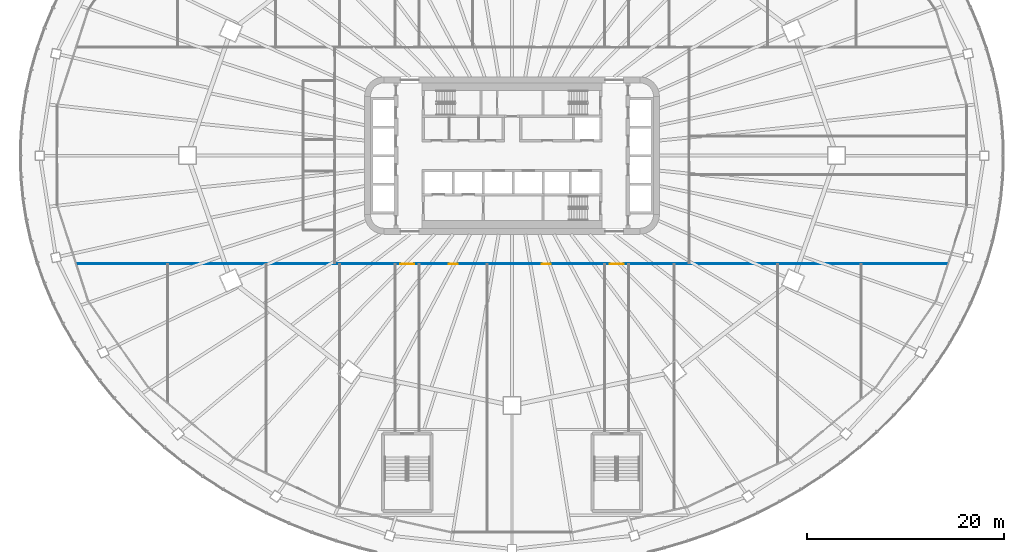
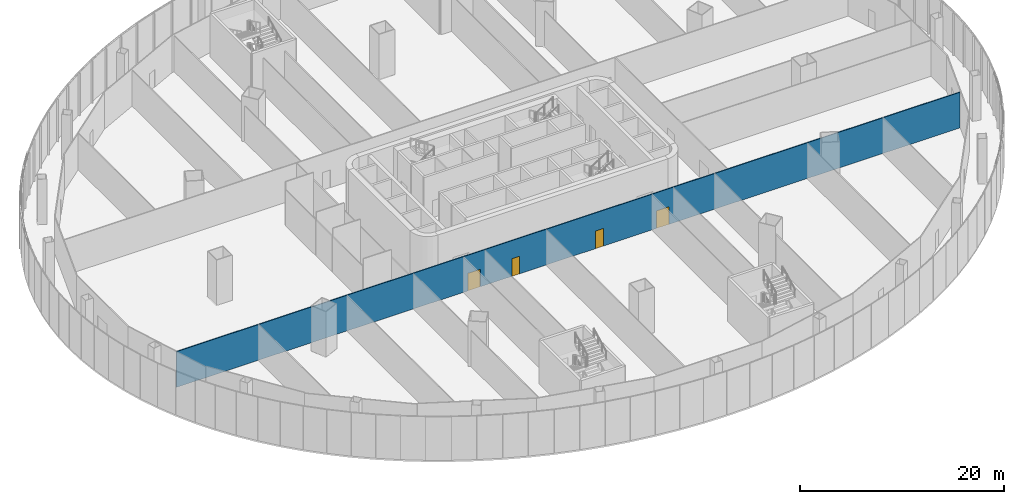
# One storey, part 21 of 42: 4 doors, 1 wall, 4 openings.
"""IFC4 building model written with IfcOpenShell, lengths in metres."""

from ifc_helpers import new_model, si_unit, direction, frame, frame_2d, origin, place, context, subcontext, project, spatial, rectangle, extrude, material, layer, layer_set, type_object, element, fill, save


model = new_model("IFC4")

# Units and contexts
model_context = context("Model", 3, precision=1e-05, world=origin(), true_north=direction((0.0, 1.0)))
body_context = subcontext(model_context, "Body", "Model", "MODEL_VIEW")
ifc_project = project(units=[si_unit("LENGTHUNIT", "METRE"), si_unit("AREAUNIT", "SQUARE_METRE"), si_unit("VOLUMEUNIT", "CUBIC_METRE"), si_unit("PLANEANGLEUNIT", "RADIAN"), si_unit("MASSUNIT", "GRAM", prefix="KILO")], contexts=[model_context])

# Site, building, storey
site_placement = place(None, origin())
site = spatial("IfcSite", under=ifc_project, at=site_placement, CompositionType="ELEMENT")
building_placement = place(site_placement, origin())
building = spatial("IfcBuilding", under=site, at=building_placement, Name="Sahrelin Media Tower", CompositionType="ELEMENT")
storey_placement = place(building_placement, frame((0.0, 0.0, 26.0)))
storey = spatial("IfcBuildingStorey", under=building, at=storey_placement, Name="L03", CompositionType="ELEMENT", Elevation=26.0)

# Wall, openings, doors
ifc_material_1 = material(Name="Gypsum board partition")
ifc_layer = layer(ifc_material_1, 0.10009765625)
ifc_layer_set = layer_set([ifc_layer], Name="Partition 100")
wall_type = type_object("IfcWallType", Name="Partition 100", PredefinedType="PARTITIONING", material=ifc_layer_set)
wall_placement = place(storey_placement, frame((-44.256103515625, -11.0, 0.0), z_axis=(0.0, 0.0, 1.0), x_axis=(1.0, 0.0, 0.0)))
wall = element("IfcWall", 1, at=wall_placement, inside=storey, type_object=wall_type, Name="Wall", PredefinedType="PARTITIONING", context=body_context, shape_type="SweptSolid", body=[
    extrude(rectangle(XDim=88.51220703125, YDim=0.10009765625, at=frame_2d((44.256103515625, 0.0))), origin(), (0.0, 0.0, 1.0), 4.268310546875),
])
opening_1_placement = place(wall_placement, frame((32.89990234375, 0.0, 0.0)))
opening_1 = element("IfcOpeningElement", 2, at=opening_1_placement, cuts=wall, Name="Opening L03-D22", PredefinedType="OPENING", context=body_context, shape_type="SweptSolid", body=[
    extrude(rectangle(XDim=1.39990234375, YDim=2.10009765625, at=frame_2d((0.699951171875, 1.050048828125))), frame((0.0, 0.050048828125, 0.0), z_axis=(0.0, -1.0, 0.0), x_axis=(1.0, 0.0, 0.0)), (0.0, 0.0, 1.0), 0.10009765625),
])
opening_2_placement = place(wall_placement, frame((54.199951171875, 0.0, 0.0)))
opening_2 = element("IfcOpeningElement", 3, at=opening_2_placement, cuts=wall, Name="Opening L03-D23", PredefinedType="OPENING", context=body_context, shape_type="SweptSolid", body=[
    extrude(rectangle(XDim=1.39990234375, YDim=2.10009765625, at=frame_2d((0.699951171875, 1.050048828125))), frame((0.0, 0.050048828125, 0.0), z_axis=(0.0, -1.0, 0.0), x_axis=(1.0, 0.0, 0.0)), (0.0, 0.0, 1.0), 0.10009765625),
])
opening_3_placement = place(wall_placement, frame((37.85009765625, 0.0, 0.0)))
opening_3 = element("IfcOpeningElement", 4, at=opening_3_placement, cuts=wall, Name="Opening L03-D37", PredefinedType="OPENING", context=body_context, shape_type="SweptSolid", body=[
    extrude(rectangle(XDim=0.89990234375, YDim=2.10009765625, at=frame_2d((0.449951171875, 1.050048828125))), frame((0.0, 0.050048828125, 0.0), z_axis=(0.0, -1.0, 0.0), x_axis=(1.0, 0.0, 0.0)), (0.0, 0.0, 1.0), 0.10009765625),
])
opening_4_placement = place(wall_placement, frame((47.300048828125, 0.0, 0.0)))
opening_4 = element("IfcOpeningElement", 5, at=opening_4_placement, cuts=wall, Name="Opening L03-D38", PredefinedType="OPENING", context=body_context, shape_type="SweptSolid", body=[
    extrude(rectangle(XDim=0.89990234375, YDim=2.10009765625, at=frame_2d((0.449951171875, 1.050048828125))), frame((0.0, 0.050048828125, 0.0), z_axis=(0.0, -1.0, 0.0), x_axis=(1.0, 0.0, 0.0)), (0.0, 0.0, 1.0), 0.10009765625),
])
ifc_material_2 = material(Name="Timber door leaf", Category="wood")
door_type_1 = type_object("IfcDoorType", Name="Single door 1400 x 2100", OperationType="NOTDEFINED", PredefinedType="DOOR", material=ifc_material_2)
door_1_placement = place(opening_1_placement, origin())
door_1 = element("IfcDoor", 6, at=door_1_placement, inside=storey, type_object=door_type_1, Name="Single door", OperationType="SINGLE_SWING_LEFT", OverallHeight=2.10009765625, OverallWidth=1.39990234375, PredefinedType="DOOR", context=body_context, shape_type="SweptSolid", body=[
    extrude(rectangle(XDim=1.39990234375, YDim=2.10009765625, at=frame_2d((0.699951171875, 1.050048828125))), frame((0.0, 0.02490234375, 0.0), z_axis=(0.0, -1.0, 0.0), x_axis=(1.0, 0.0, 0.0)), (0.0, 0.0, 1.0), 0.050048828125),
])
fill(opening_1, door_1)
door_2_placement = place(opening_2_placement, origin())
door_2 = element("IfcDoor", 7, at=door_2_placement, inside=storey, type_object=door_type_1, Name="Single door", OperationType="SINGLE_SWING_RIGHT", OverallHeight=2.10009765625, OverallWidth=1.39990234375, PredefinedType="DOOR", context=body_context, shape_type="SweptSolid", body=[
    extrude(rectangle(XDim=1.39990234375, YDim=2.10009765625, at=frame_2d((0.699951171875, 1.050048828125))), frame((0.0, 0.02490234375, 0.0), z_axis=(0.0, -1.0, 0.0), x_axis=(1.0, 0.0, 0.0)), (0.0, 0.0, 1.0), 0.050048828125),
])
fill(opening_2, door_2)
door_type_2 = type_object("IfcDoorType", Name="Single door 900 x 2100", OperationType="NOTDEFINED", PredefinedType="DOOR", material=ifc_material_2)
door_3_placement = place(opening_3_placement, origin())
door_3 = element("IfcDoor", 8, at=door_3_placement, inside=storey, type_object=door_type_2, Name="Single door", OperationType="SINGLE_SWING_LEFT", OverallHeight=2.10009765625, OverallWidth=0.89990234375, PredefinedType="DOOR", context=body_context, shape_type="SweptSolid", body=[
    extrude(rectangle(XDim=0.89990234375, YDim=2.10009765625, at=frame_2d((0.449951171875, 1.050048828125))), frame((0.0, 0.02490234375, 0.0), z_axis=(0.0, -1.0, 0.0), x_axis=(1.0, 0.0, 0.0)), (0.0, 0.0, 1.0), 0.050048828125),
])
fill(opening_3, door_3)
door_4_placement = place(opening_4_placement, origin())
door_4 = element("IfcDoor", 9, at=door_4_placement, inside=storey, type_object=door_type_2, Name="Single door", OperationType="SINGLE_SWING_RIGHT", OverallHeight=2.10009765625, OverallWidth=0.89990234375, PredefinedType="DOOR", context=body_context, shape_type="SweptSolid", body=[
    extrude(rectangle(XDim=0.89990234375, YDim=2.10009765625, at=frame_2d((0.449951171875, 1.050048828125))), frame((0.0, 0.02490234375, 0.0), z_axis=(0.0, -1.0, 0.0), x_axis=(1.0, 0.0, 0.0)), (0.0, 0.0, 1.0), 0.050048828125),
])
fill(opening_4, door_4)

save(model, "model.ifc")
